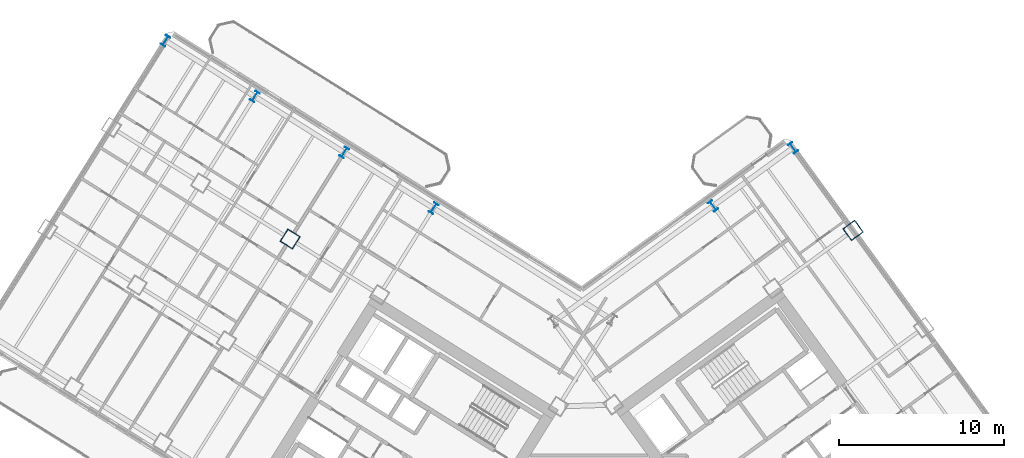
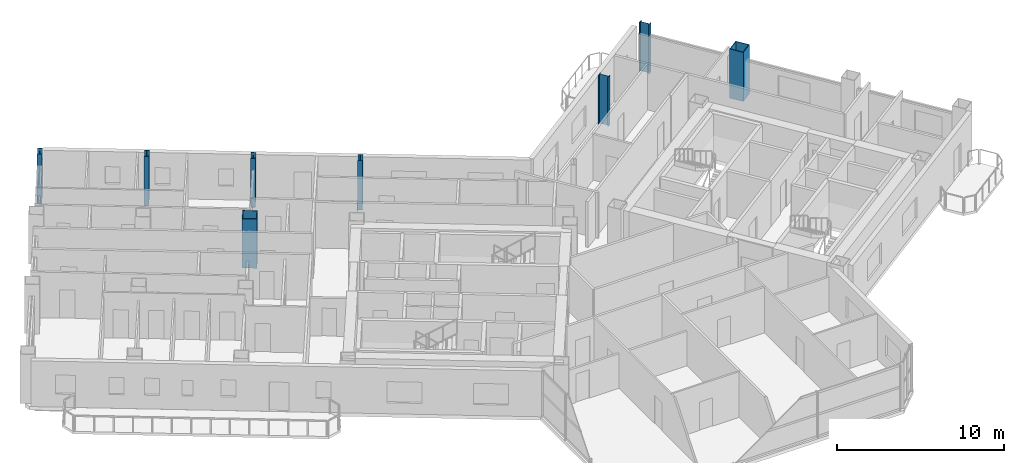
# One storey, part 3 of 21: 8 columns.
"""IFC4 building model written with IfcOpenShell, lengths in metres."""

from ifc_helpers import new_model, si_unit, direction, frame, origin, origin_2d, place, context, subcontext, project, spatial, hollow_rectangle, i_section, extrude, source, transform, mapped, material, material_profile, profile_set, type_object, element, save


model = new_model("IFC4")

# Units and contexts
model_context = context("Model", 3, precision=1e-05, world=origin(), true_north=direction((0.0, 1.0)))
body_context = subcontext(model_context, "Body", "Model", "MODEL_VIEW")
ifc_project = project(units=[si_unit("LENGTHUNIT", "METRE"), si_unit("AREAUNIT", "SQUARE_METRE"), si_unit("VOLUMEUNIT", "CUBIC_METRE"), si_unit("PLANEANGLEUNIT", "RADIAN"), si_unit("MASSUNIT", "GRAM", prefix="KILO")], contexts=[model_context])

# Site, building, storey
site_placement = place(None, origin())
site = spatial("IfcSite", under=ifc_project, at=site_placement, CompositionType="ELEMENT")
building_placement = place(site_placement, origin())
building = spatial("IfcBuilding", under=site, at=building_placement, Name="Tlacorven Tower", CompositionType="ELEMENT")
storey_placement = place(building_placement, frame((0.0, 0.0, 90.0)))
storey = spatial("IfcBuildingStorey", under=building, at=storey_placement, Name="L22", CompositionType="ELEMENT", Elevation=90.0)

# Columns
ifc_material = material(Name="Steel S460M", Category="steel")
ifc_material_profile_1 = material_profile(ifc_material, i_section(OverallWidth=0.300048828125, OverallDepth=0.64990234375, WebThickness=0.01611328125, FlangeThickness=0.031005859375, at=origin_2d()), Name="HEB 650")
ifc_profile_set_1 = profile_set([ifc_material_profile_1], Name="Steel S460M")
column_type_1 = type_object("IfcColumnType", Name="COL-TWR-P1", PredefinedType="COLUMN", material=ifc_profile_set_1)
shared_shape_1 = source(origin(), body_context, "Body", "SweptSolid", [
    extrude(i_section(OverallWidth=0.300048828125, OverallDepth=0.64990234375, WebThickness=0.01611328125, FlangeThickness=0.031005859375, at=origin_2d()), origin(), (0.0, 0.0, 1.0), 3.60009765625),
])
for number, where, z_axis, x_axis, name in (
    (1, (33.21337890625, 36.50927734375, 0.0), (0.0, 0.0, 1.0), (-0.848048096156, 0.529919264233, 0.0), "L22 column COL-L22-W3-1"),
    (2, (27.785888671875, 39.900634765625, 0.0), (0.0, 0.0, 1.0), (-0.848048096156, 0.529919264233, 0.0), "L22 column COL-L22-W4-1"),
    (3, (22.3583984375, 43.292236328125, 0.0), (0.0, 0.0, 1.0), (-0.848048096156, 0.529919264233, 0.0), "L22 column COL-L22-W5-1"),
    (4, (16.930908203125, 46.68359375, 0.0), (0.0, 0.0, 1.0), (-0.848048096156, 0.529919264233, 0.0), "L22 column COL-L22-W6-1"),
    (5, (50.187744140625, 36.654296875, 0.0), (0.0, 0.0, 1.0), (0.809016994375, 0.587785252292, 0.0), "L22 column COL-L22-E3-4"),
    (6, (55.041748046875, 40.18115234375, 0.0), (0.0, 0.0, 1.0), (0.809016994375, 0.587785252292, 0.0), "L22 column COL-L22-E4-4"),
):
    element("IfcColumn", number, at=place(storey_placement, frame(where, z_axis=z_axis, x_axis=x_axis)), inside=storey, type_object=column_type_1, Name=name, PredefinedType="COLUMN", context=body_context, shape_type="MappedRepresentation", body=[
        mapped(shared_shape_1, transform((0.0, 0.0, 0.0), scale=1.0)),
    ])
ifc_material_profile_2 = material_profile(ifc_material, hollow_rectangle(XDim=0.89990234375, YDim=0.89990234375, WallThickness=0.035888671875, at=origin_2d()), Name="BOX 900X900X36")
ifc_profile_set_2 = profile_set([ifc_material_profile_2], Name="Steel S460M")
column_type_2 = type_object("IfcColumnType", Name="COL-TWR-S2", PredefinedType="COLUMN", material=ifc_profile_set_2)
shared_shape_2 = source(origin(), body_context, "Body", "SweptSolid", [
    extrude(hollow_rectangle(XDim=0.89990234375, YDim=0.89990234375, WallThickness=0.035888671875, at=origin_2d()), origin(), (0.0, 0.0, 1.0), 3.60009765625),
])
for number, where, z_axis, x_axis, name in (
    (7, (24.50048828125, 34.642822265625, 0.0), (0.0, 0.0, 1.0), (-0.848048096156, 0.529919264233, 0.0), "L22 column COL-L22-W4-2"),
    (8, (58.68603515625, 35.165283203125, 0.0), (0.0, 0.0, 1.0), (0.809016994375, 0.587785252292, 0.0), "L22 column COL-L22-E4-3"),
):
    element("IfcColumn", number, at=place(storey_placement, frame(where, z_axis=z_axis, x_axis=x_axis)), inside=storey, type_object=column_type_2, Name=name, PredefinedType="COLUMN", context=body_context, shape_type="MappedRepresentation", body=[
        mapped(shared_shape_2, transform((0.0, 0.0, 0.0), scale=1.0)),
    ])

save(model, "model.ifc")
